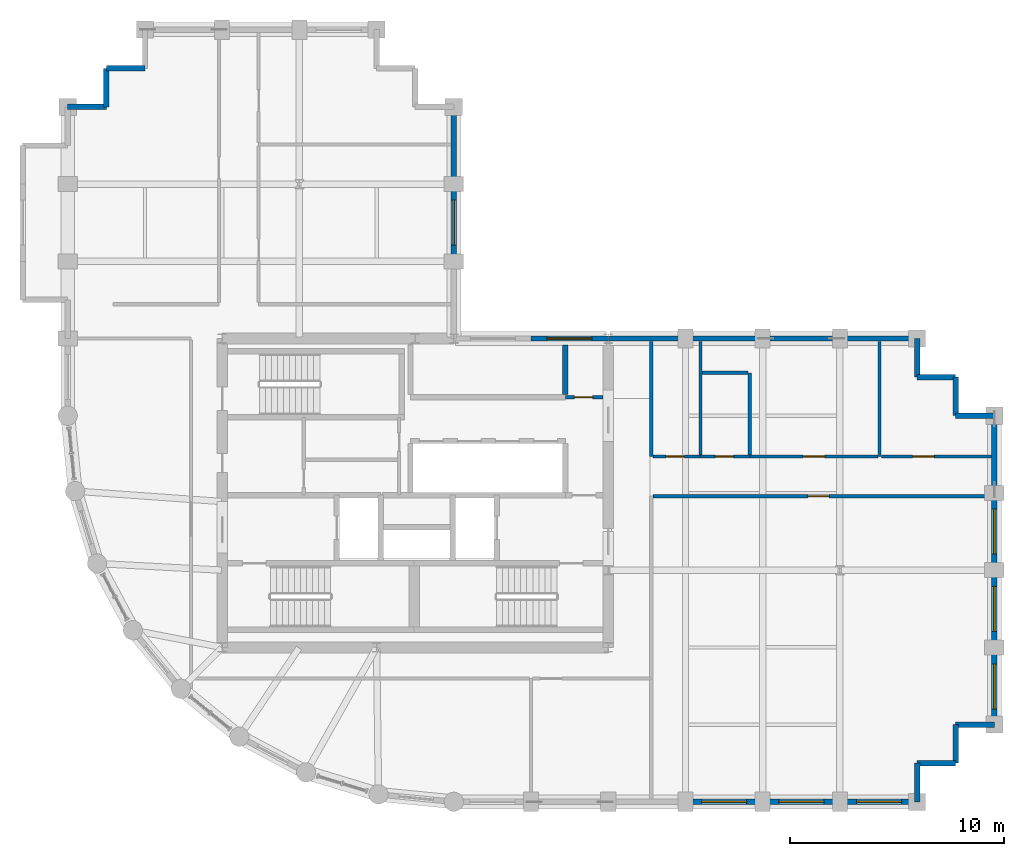
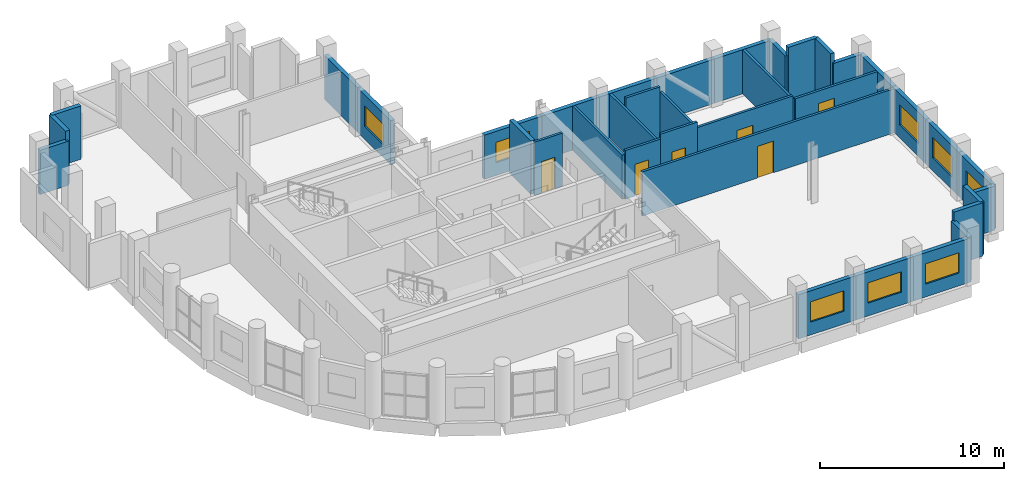
# One storey, part 10 of 12: 37 walls, 8 windows, 6 doors, 14 openings.
"""IFC4 building model written with IfcOpenShell, lengths in metres."""

from ifc_helpers import new_model, si_unit, direction, frame, frame_2d, origin, place, context, subcontext, project, spatial, rectangle, extrude, material, layer, layer_set, type_object, element, fill, save


model = new_model("IFC4")

# Units and contexts
model_context = context("Model", 3, precision=1e-05, world=origin(), true_north=direction((0.0, 1.0)))
body_context = subcontext(model_context, "Body", "Model", "MODEL_VIEW")
ifc_project = project(units=[si_unit("LENGTHUNIT", "METRE"), si_unit("AREAUNIT", "SQUARE_METRE"), si_unit("VOLUMEUNIT", "CUBIC_METRE"), si_unit("PLANEANGLEUNIT", "RADIAN"), si_unit("MASSUNIT", "GRAM", prefix="KILO")], contexts=[model_context])

# Site, building, storey
site_placement = place(None, origin())
site = spatial("IfcSite", under=ifc_project, at=site_placement, CompositionType="ELEMENT")
building_placement = place(site_placement, origin())
building = spatial("IfcBuilding", under=site, at=building_placement, Name="Solnavia Interchange Tower", CompositionType="ELEMENT")
storey_placement = place(building_placement, frame((0.0, 0.0, 193.800048828125)))
storey = spatial("IfcBuildingStorey", under=building, at=storey_placement, Name="L48", CompositionType="ELEMENT", Elevation=193.800048828125)

# Wall, opening, window
ifc_material_1 = material(Name="Concrete C40/50", Category="concrete")
ifc_layer_1 = layer(ifc_material_1, 0.25)
ifc_layer_set_1 = layer_set([ifc_layer_1], Name="Concrete C40/50")
wall_type_1 = type_object("IfcWallType", Name="Wall-ExtSpandrel-250", PredefinedType="STANDARD", material=ifc_layer_set_1)
wall_1_placement = place(storey_placement, frame((39.60009765625, 3.60009765625, 0.0), z_axis=(0.0, 0.0, 1.0), x_axis=(-1.0, 0.0, 0.0)))
wall_1 = element("IfcWall", 1, at=wall_1_placement, inside=storey, type_object=wall_type_1, Name="EXW-L48-04 Exterior precast spandrel wall", PredefinedType="STANDARD", context=body_context, shape_type="SweptSolid", body=[
    extrude(rectangle(XDim=3.60009765625, YDim=0.25, at=frame_2d((1.800048828125, 0.0))), origin(), (0.0, 0.0, 1.0), 2.929931640625),
])
opening_1_placement = place(wall_1_placement, frame((0.75, 0.0, 0.85009765625)))
opening_1 = element("IfcOpeningElement", 2, at=opening_1_placement, cuts=wall_1, Name="Opening WIN-01", PredefinedType="OPENING", context=body_context, shape_type="SweptSolid", body=[
    extrude(rectangle(XDim=2.10009765625, YDim=1.35009765625, at=frame_2d((1.050048828125, 0.675048828125))), frame((0.0, 0.135009765625, 0.0), z_axis=(0.0, -1.0, 0.0), x_axis=(1.0, 0.0, 0.0)), (0.0, 0.0, 1.0), 0.27001953125),
])
ifc_material_2 = material(Name="Thermal-Break Aluminium & Low-E Glass", Category="aluminium")
window_type = type_object("IfcWindowType", Name="Window-Ribbon-2100x1350", PartitioningType="SINGLE_PANEL", PredefinedType="WINDOW", material=ifc_material_2)
window_1_placement = place(opening_1_placement, origin())
window_1 = element("IfcWindow", 3, at=window_1_placement, inside=storey, type_object=window_type, Name="WIN-L48-04 Facade ribbon window", OverallHeight=1.35009765625, OverallWidth=2.10009765625, PartitioningType="SINGLE_PANEL", PredefinedType="WINDOW", context=body_context, shape_type="SweptSolid", body=[
    extrude(rectangle(XDim=2.10009765625, YDim=1.35009765625, at=frame_2d((1.050048828125, 0.675048828125))), frame((0.0, 0.030029296875, 0.0), z_axis=(0.0, -1.0, 0.0), x_axis=(1.0, 0.0, 0.0)), (0.0, 0.0, 1.0), 0.06005859375),
])
fill(opening_1, window_1)

wall_2_placement = place(storey_placement, frame((43.199951171875, 3.60009765625, 0.0), z_axis=(0.0, 0.0, 1.0), x_axis=(-1.0, 0.0, 0.0)))
wall_2 = element("IfcWall", 4, at=wall_2_placement, inside=storey, type_object=wall_type_1, Name="EXW-L48-05 Exterior precast spandrel wall", PredefinedType="STANDARD", context=body_context, shape_type="SweptSolid", body=[
    extrude(rectangle(XDim=3.599853515625, YDim=0.25, at=frame_2d((1.7998046875, 0.0))), origin(), (0.0, 0.0, 1.0), 2.929931640625),
])
opening_2_placement = place(wall_2_placement, frame((0.75, 0.0, 0.85009765625)))
opening_2 = element("IfcOpeningElement", 5, at=opening_2_placement, cuts=wall_2, Name="Opening WIN-01", PredefinedType="OPENING", context=body_context, shape_type="SweptSolid", body=[
    extrude(rectangle(XDim=2.10009765625, YDim=1.35009765625, at=frame_2d((1.050048828125, 0.675048828125))), frame((0.0, 0.135009765625, 0.0), z_axis=(0.0, -1.0, 0.0), x_axis=(1.0, 0.0, 0.0)), (0.0, 0.0, 1.0), 0.27001953125),
])
window_2_placement = place(opening_2_placement, origin())
window_2 = element("IfcWindow", 6, at=window_2_placement, inside=storey, type_object=window_type, Name="WIN-L48-05 Facade ribbon window", OverallHeight=1.35009765625, OverallWidth=2.10009765625, PartitioningType="SINGLE_PANEL", PredefinedType="WINDOW", context=body_context, shape_type="SweptSolid", body=[
    extrude(rectangle(XDim=2.10009765625, YDim=1.35009765625, at=frame_2d((1.050048828125, 0.675048828125))), frame((0.0, 0.030029296875, 0.0), z_axis=(0.0, -1.0, 0.0), x_axis=(1.0, 0.0, 0.0)), (0.0, 0.0, 1.0), 0.06005859375),
])
fill(opening_2, window_2)

wall_3_placement = place(storey_placement, frame((46.800048828125, 3.60009765625, 0.0), z_axis=(0.0, 0.0, 1.0), x_axis=(-1.0, 0.0, 0.0)))
wall_3 = element("IfcWall", 7, at=wall_3_placement, inside=storey, type_object=wall_type_1, Name="EXW-L48-06 Exterior precast spandrel wall", PredefinedType="STANDARD", context=body_context, shape_type="SweptSolid", body=[
    extrude(rectangle(XDim=3.60009765625, YDim=0.25, at=frame_2d((1.800048828125, 0.0))), origin(), (0.0, 0.0, 1.0), 2.929931640625),
])
opening_3_placement = place(wall_3_placement, frame((0.72509765625, 0.0, 0.85009765625)))
opening_3 = element("IfcOpeningElement", 8, at=opening_3_placement, cuts=wall_3, Name="Opening WIN-01", PredefinedType="OPENING", context=body_context, shape_type="SweptSolid", body=[
    extrude(rectangle(XDim=2.10009765625, YDim=1.35009765625, at=frame_2d((1.050048828125, 0.675048828125))), frame((0.0, 0.135009765625, 0.0), z_axis=(0.0, -1.0, 0.0), x_axis=(1.0, 0.0, 0.0)), (0.0, 0.0, 1.0), 0.27001953125),
])
window_3_placement = place(opening_3_placement, origin())
window_3 = element("IfcWindow", 9, at=window_3_placement, inside=storey, type_object=window_type, Name="WIN-L48-06 Facade ribbon window", OverallHeight=1.35009765625, OverallWidth=2.10009765625, PartitioningType="SINGLE_PANEL", PredefinedType="WINDOW", context=body_context, shape_type="SweptSolid", body=[
    extrude(rectangle(XDim=2.10009765625, YDim=1.35009765625, at=frame_2d((1.050048828125, 0.675048828125))), frame((0.0, 0.030029296875, 0.0), z_axis=(0.0, -1.0, 0.0), x_axis=(1.0, 0.0, 0.0)), (0.0, 0.0, 1.0), 0.06005859375),
])
fill(opening_3, window_3)

# Walls
wall_4_placement = place(storey_placement, frame((46.800048828125, 5.39990234375, 0.0), z_axis=(0.0, 0.0, 1.0), x_axis=(0.0, -1.0, 0.0)))
element("IfcWall", 10, at=wall_4_placement, inside=storey, type_object=wall_type_1, Name="EXW-L48-07 Exterior precast spandrel wall", PredefinedType="STANDARD", context=body_context, shape_type="SweptSolid", body=[
    extrude(rectangle(XDim=1.7998046875, YDim=0.25, at=frame_2d((0.89990234375, 0.0))), origin(), (0.0, 0.0, 1.0), 2.929931640625),
])
for number, where, z_axis, x_axis, name in (
    (11, (48.60009765625, 5.39990234375, 0.0), (0.0, 0.0, 1.0), (-1.0, 0.0, 0.0), "EXW-L48-08 Exterior precast spandrel wall"),
    (12, (48.60009765625, 7.199951171875, 0.0), (0.0, 0.0, 1.0), (0.0, -1.0, 0.0), "EXW-L48-09 Exterior precast spandrel wall"),
):
    element("IfcWall", number, at=place(storey_placement, frame(where, z_axis=z_axis, x_axis=x_axis)), inside=storey, type_object=wall_type_1, Name=name, PredefinedType="STANDARD", context=body_context, shape_type="SweptSolid", body=[
        extrude(rectangle(XDim=1.800048828125, YDim=0.25, at=frame_2d((0.89990234375, 0.0))), origin(), (0.0, 0.0, 1.0), 3.534912109375),
    ])
wall_5_placement = place(storey_placement, frame((50.39990234375, 7.199951171875, 0.0), z_axis=(0.0, 0.0, 1.0), x_axis=(-1.0, 0.0, 0.0)))
element("IfcWall", 13, at=wall_5_placement, inside=storey, type_object=wall_type_1, Name="EXW-L48-10 Exterior precast spandrel wall", PredefinedType="STANDARD", context=body_context, shape_type="SweptSolid", body=[
    extrude(rectangle(XDim=1.7998046875, YDim=0.25, at=frame_2d((0.89990234375, 0.0))), origin(), (0.0, 0.0, 1.0), 2.929931640625),
])

# Wall, opening, window
wall_6_placement = place(storey_placement, frame((50.39990234375, 10.800048828125, 0.0), z_axis=(0.0, 0.0, 1.0), x_axis=(0.0, -1.0, 0.0)))
wall_6 = element("IfcWall", 14, at=wall_6_placement, inside=storey, type_object=wall_type_1, Name="EXW-L48-11 Exterior precast spandrel wall", PredefinedType="STANDARD", context=body_context, shape_type="SweptSolid", body=[
    extrude(rectangle(XDim=3.60009765625, YDim=0.25, at=frame_2d((1.800048828125, 0.0))), origin(), (0.0, 0.0, 1.0), 2.929931640625),
])
opening_4_placement = place(wall_6_placement, frame((0.77490234375, 0.0, 0.85009765625)))
opening_4 = element("IfcOpeningElement", 15, at=opening_4_placement, cuts=wall_6, Name="Opening WIN-01", PredefinedType="OPENING", context=body_context, shape_type="SweptSolid", body=[
    extrude(rectangle(XDim=2.10009765625, YDim=1.35009765625, at=frame_2d((1.050048828125, 0.675048828125))), frame((0.0, 0.135009765625, 0.0), z_axis=(0.0, -1.0, 0.0), x_axis=(1.0, 0.0, 0.0)), (0.0, 0.0, 1.0), 0.27001953125),
])
window_4_placement = place(opening_4_placement, origin())
window_4 = element("IfcWindow", 16, at=window_4_placement, inside=storey, type_object=window_type, Name="WIN-L48-11 Facade ribbon window", OverallHeight=1.35009765625, OverallWidth=2.10009765625, PartitioningType="SINGLE_PANEL", PredefinedType="WINDOW", context=body_context, shape_type="SweptSolid", body=[
    extrude(rectangle(XDim=2.10009765625, YDim=1.35009765625, at=frame_2d((1.050048828125, 0.675048828125))), frame((0.0, 0.030029296875, 0.0), z_axis=(0.0, -1.0, 0.0), x_axis=(1.0, 0.0, 0.0)), (0.0, 0.0, 1.0), 0.06005859375),
])
fill(opening_4, window_4)

wall_7_placement = place(storey_placement, frame((50.39990234375, 14.39990234375, 0.0), z_axis=(0.0, 0.0, 1.0), x_axis=(0.0, -1.0, 0.0)))
wall_7 = element("IfcWall", 17, at=wall_7_placement, inside=storey, type_object=wall_type_1, Name="EXW-L48-12 Exterior precast spandrel wall", PredefinedType="STANDARD", context=body_context, shape_type="SweptSolid", body=[
    extrude(rectangle(XDim=3.599853515625, YDim=0.25, at=frame_2d((1.7998046875, 0.0))), origin(), (0.0, 0.0, 1.0), 2.929931640625),
])
opening_5_placement = place(wall_7_placement, frame((0.75, 0.0, 0.85009765625)))
opening_5 = element("IfcOpeningElement", 18, at=opening_5_placement, cuts=wall_7, Name="Opening WIN-01", PredefinedType="OPENING", context=body_context, shape_type="SweptSolid", body=[
    extrude(rectangle(XDim=2.10009765625, YDim=1.35009765625, at=frame_2d((1.050048828125, 0.675048828125))), frame((0.0, 0.135009765625, 0.0), z_axis=(0.0, -1.0, 0.0), x_axis=(1.0, 0.0, 0.0)), (0.0, 0.0, 1.0), 0.27001953125),
])
window_5_placement = place(opening_5_placement, origin())
window_5 = element("IfcWindow", 19, at=window_5_placement, inside=storey, type_object=window_type, Name="WIN-L48-12 Facade ribbon window", OverallHeight=1.35009765625, OverallWidth=2.10009765625, PartitioningType="SINGLE_PANEL", PredefinedType="WINDOW", context=body_context, shape_type="SweptSolid", body=[
    extrude(rectangle(XDim=2.10009765625, YDim=1.35009765625, at=frame_2d((1.050048828125, 0.675048828125))), frame((0.0, 0.030029296875, 0.0), z_axis=(0.0, -1.0, 0.0), x_axis=(1.0, 0.0, 0.0)), (0.0, 0.0, 1.0), 0.06005859375),
])
fill(opening_5, window_5)

wall_8_placement = place(storey_placement, frame((50.39990234375, 18.0, 0.0), z_axis=(0.0, 0.0, 1.0), x_axis=(0.0, -1.0, 0.0)))
wall_8 = element("IfcWall", 20, at=wall_8_placement, inside=storey, type_object=wall_type_1, Name="EXW-L48-13 Exterior precast spandrel wall", PredefinedType="STANDARD", context=body_context, shape_type="SweptSolid", body=[
    extrude(rectangle(XDim=3.60009765625, YDim=0.25, at=frame_2d((1.800048828125, 0.0))), origin(), (0.0, 0.0, 1.0), 2.929931640625),
])
opening_6_placement = place(wall_8_placement, frame((0.75, 0.0, 0.85009765625)))
opening_6 = element("IfcOpeningElement", 21, at=opening_6_placement, cuts=wall_8, Name="Opening WIN-01", PredefinedType="OPENING", context=body_context, shape_type="SweptSolid", body=[
    extrude(rectangle(XDim=2.10009765625, YDim=1.35009765625, at=frame_2d((1.050048828125, 0.675048828125))), frame((0.0, 0.135009765625, 0.0), z_axis=(0.0, -1.0, 0.0), x_axis=(1.0, 0.0, 0.0)), (0.0, 0.0, 1.0), 0.27001953125),
])
window_6_placement = place(opening_6_placement, origin())
window_6 = element("IfcWindow", 22, at=window_6_placement, inside=storey, type_object=window_type, Name="WIN-L48-13 Facade ribbon window", OverallHeight=1.35009765625, OverallWidth=2.10009765625, PartitioningType="SINGLE_PANEL", PredefinedType="WINDOW", context=body_context, shape_type="SweptSolid", body=[
    extrude(rectangle(XDim=2.10009765625, YDim=1.35009765625, at=frame_2d((1.050048828125, 0.675048828125))), frame((0.0, 0.030029296875, 0.0), z_axis=(0.0, -1.0, 0.0), x_axis=(1.0, 0.0, 0.0)), (0.0, 0.0, 1.0), 0.06005859375),
])
fill(opening_6, window_6)

# Walls
wall_9_placement = place(storey_placement, frame((50.39990234375, 21.60009765625, 0.0), z_axis=(0.0, 0.0, 1.0), x_axis=(0.0, -1.0, 0.0)))
element("IfcWall", 23, at=wall_9_placement, inside=storey, type_object=wall_type_1, Name="EXW-L48-14 Exterior precast spandrel wall", PredefinedType="STANDARD", context=body_context, shape_type="SweptSolid", body=[
    extrude(rectangle(XDim=3.60009765625, YDim=0.25, at=frame_2d((1.800048828125, 0.0))), origin(), (0.0, 0.0, 1.0), 2.929931640625),
])
wall_10_placement = place(storey_placement, frame((48.60009765625, 21.60009765625, 0.0), z_axis=(0.0, 0.0, 1.0), x_axis=(1.0, 0.0, 0.0)))
element("IfcWall", 24, at=wall_10_placement, inside=storey, type_object=wall_type_1, Name="EXW-L48-15 Exterior precast spandrel wall", PredefinedType="STANDARD", context=body_context, shape_type="SweptSolid", body=[
    extrude(rectangle(XDim=1.7998046875, YDim=0.25, at=frame_2d((0.89990234375, 0.0))), origin(), (0.0, 0.0, 1.0), 2.929931640625),
])
wall_11_placement = place(storey_placement, frame((48.60009765625, 23.39990234375, 0.0), z_axis=(0.0, 0.0, 1.0), x_axis=(0.0, -1.0, 0.0)))
element("IfcWall", 25, at=wall_11_placement, inside=storey, type_object=wall_type_1, Name="EXW-L48-16 Exterior precast spandrel wall", PredefinedType="STANDARD", context=body_context, shape_type="SweptSolid", body=[
    extrude(rectangle(XDim=1.7998046875, YDim=0.25, at=frame_2d((0.89990234375, 0.0))), origin(), (0.0, 0.0, 1.0), 3.534912109375),
])
wall_12_placement = place(storey_placement, frame((46.800048828125, 23.39990234375, 0.0), z_axis=(0.0, 0.0, 1.0), x_axis=(1.0, 0.0, 0.0)))
element("IfcWall", 26, at=wall_12_placement, inside=storey, type_object=wall_type_1, Name="EXW-L48-17 Exterior precast spandrel wall", PredefinedType="STANDARD", context=body_context, shape_type="SweptSolid", body=[
    extrude(rectangle(XDim=1.800048828125, YDim=0.25, at=frame_2d((0.89990234375, 0.0))), origin(), (0.0, 0.0, 1.0), 3.534912109375),
])
wall_13_placement = place(storey_placement, frame((46.800048828125, 25.199951171875, 0.0), z_axis=(0.0, 0.0, 1.0), x_axis=(0.0, -1.0, 0.0)))
element("IfcWall", 27, at=wall_13_placement, inside=storey, type_object=wall_type_1, Name="EXW-L48-18 Exterior precast spandrel wall", PredefinedType="STANDARD", context=body_context, shape_type="SweptSolid", body=[
    extrude(rectangle(XDim=1.800048828125, YDim=0.25, at=frame_2d((0.89990234375, 0.0))), origin(), (0.0, 0.0, 1.0), 2.929931640625),
])
wall_14_placement = place(storey_placement, frame((43.199951171875, 25.199951171875, 0.0), z_axis=(0.0, 0.0, 1.0), x_axis=(1.0, 0.0, 0.0)))
element("IfcWall", 28, at=wall_14_placement, inside=storey, type_object=wall_type_1, Name="EXW-L48-19 Exterior precast spandrel wall", PredefinedType="STANDARD", context=body_context, shape_type="SweptSolid", body=[
    extrude(rectangle(XDim=3.60009765625, YDim=0.25, at=frame_2d((1.800048828125, 0.0))), origin(), (0.0, 0.0, 1.0), 2.929931640625),
])
wall_15_placement = place(storey_placement, frame((39.60009765625, 25.199951171875, 0.0), z_axis=(0.0, 0.0, 1.0), x_axis=(1.0, 0.0, 0.0)))
element("IfcWall", 29, at=wall_15_placement, inside=storey, type_object=wall_type_1, Name="EXW-L48-20 Exterior precast spandrel wall", PredefinedType="STANDARD", context=body_context, shape_type="SweptSolid", body=[
    extrude(rectangle(XDim=3.599853515625, YDim=0.25, at=frame_2d((1.7998046875, 0.0))), origin(), (0.0, 0.0, 1.0), 2.929931640625),
])
for number, where, z_axis, x_axis, name in (
    (30, (36.0, 25.199951171875, 0.0), (0.0, 0.0, 1.0), (1.0, 0.0, 0.0), "EXW-L48-21 Exterior precast spandrel wall"),
    (31, (32.39990234375, 25.199951171875, 0.0), (0.0, 0.0, 1.0), (1.0, 0.0, 0.0), "EXW-L48-22 Exterior precast spandrel wall"),
):
    element("IfcWall", number, at=place(storey_placement, frame(where, z_axis=z_axis, x_axis=x_axis)), inside=storey, type_object=wall_type_1, Name=name, PredefinedType="STANDARD", context=body_context, shape_type="SweptSolid", body=[
        extrude(rectangle(XDim=3.60009765625, YDim=0.25, at=frame_2d((1.800048828125, 0.0))), origin(), (0.0, 0.0, 1.0), 2.929931640625),
    ])

# Wall, opening, window
wall_16_placement = place(storey_placement, frame((28.800048828125, 25.199951171875, 0.0), z_axis=(0.0, 0.0, 1.0), x_axis=(1.0, 0.0, 0.0)))
wall_16 = element("IfcWall", 32, at=wall_16_placement, inside=storey, type_object=wall_type_1, Name="EXW-L48-23 Exterior precast spandrel wall", PredefinedType="STANDARD", context=body_context, shape_type="SweptSolid", body=[
    extrude(rectangle(XDim=3.599853515625, YDim=0.25, at=frame_2d((1.7998046875, 0.0))), origin(), (0.0, 0.0, 1.0), 2.929931640625),
])
opening_7_placement = place(wall_16_placement, frame((0.73388671875, 0.0, 0.85009765625)))
opening_7 = element("IfcOpeningElement", 33, at=opening_7_placement, cuts=wall_16, Name="Opening WIN-01", PredefinedType="OPENING", context=body_context, shape_type="SweptSolid", body=[
    extrude(rectangle(XDim=2.10009765625, YDim=1.35009765625, at=frame_2d((1.050048828125, 0.675048828125))), frame((0.0, 0.135009765625, 0.0), z_axis=(0.0, -1.0, 0.0), x_axis=(1.0, 0.0, 0.0)), (0.0, 0.0, 1.0), 0.27001953125),
])
window_7_placement = place(opening_7_placement, origin())
window_7 = element("IfcWindow", 34, at=window_7_placement, inside=storey, type_object=window_type, Name="WIN-L48-23 Facade ribbon window", OverallHeight=1.35009765625, OverallWidth=2.10009765625, PartitioningType="SINGLE_PANEL", PredefinedType="WINDOW", context=body_context, shape_type="SweptSolid", body=[
    extrude(rectangle(XDim=2.10009765625, YDim=1.35009765625, at=frame_2d((1.050048828125, 0.675048828125))), frame((0.0, 0.030029296875, 0.0), z_axis=(0.0, -1.0, 0.0), x_axis=(1.0, 0.0, 0.0)), (0.0, 0.0, 1.0), 0.06005859375),
])
fill(opening_7, window_7)

wall_17_placement = place(storey_placement, frame((25.199951171875, 28.800048828125, 0.0), z_axis=(0.0, 0.0, 1.0), x_axis=(0.0, 1.0, 0.0)))
wall_17 = element("IfcWall", 35, at=wall_17_placement, inside=storey, type_object=wall_type_1, Name="EXW-L48-26 Exterior precast spandrel wall", PredefinedType="STANDARD", context=body_context, shape_type="SweptSolid", body=[
    extrude(rectangle(XDim=3.599853515625, YDim=0.25, at=frame_2d((1.7998046875, 0.0))), origin(), (0.0, 0.0, 1.0), 2.929931640625),
])
opening_8_placement = place(wall_17_placement, frame((0.75, 0.0, 0.85009765625)))
opening_8 = element("IfcOpeningElement", 36, at=opening_8_placement, cuts=wall_17, Name="Opening WIN-01", PredefinedType="OPENING", context=body_context, shape_type="SweptSolid", body=[
    extrude(rectangle(XDim=2.10009765625, YDim=1.35009765625, at=frame_2d((1.050048828125, 0.675048828125))), frame((0.0, 0.135009765625, 0.0), z_axis=(0.0, -1.0, 0.0), x_axis=(1.0, 0.0, 0.0)), (0.0, 0.0, 1.0), 0.27001953125),
])
window_8_placement = place(opening_8_placement, origin())
window_8 = element("IfcWindow", 37, at=window_8_placement, inside=storey, type_object=window_type, Name="WIN-L48-26 Facade ribbon window", OverallHeight=1.35009765625, OverallWidth=2.10009765625, PartitioningType="SINGLE_PANEL", PredefinedType="WINDOW", context=body_context, shape_type="SweptSolid", body=[
    extrude(rectangle(XDim=2.10009765625, YDim=1.35009765625, at=frame_2d((1.050048828125, 0.675048828125))), frame((0.0, 0.030029296875, 0.0), z_axis=(0.0, -1.0, 0.0), x_axis=(1.0, 0.0, 0.0)), (0.0, 0.0, 1.0), 0.06005859375),
])
fill(opening_8, window_8)

# Walls
wall_18_placement = place(storey_placement, frame((25.199951171875, 32.39990234375, 0.0), z_axis=(0.0, 0.0, 1.0), x_axis=(0.0, 1.0, 0.0)))
element("IfcWall", 38, at=wall_18_placement, inside=storey, type_object=wall_type_1, Name="EXW-L48-27 Exterior precast spandrel wall", PredefinedType="STANDARD", context=body_context, shape_type="SweptSolid", body=[
    extrude(rectangle(XDim=3.60009765625, YDim=0.25, at=frame_2d((1.800048828125, 0.0))), origin(), (0.0, 0.0, 1.0), 2.929931640625),
])
for number, where, z_axis, x_axis, name in (
    (39, (9.0, 37.800048828125, 0.0), (0.0, 0.0, 1.0), (1.0, 0.0, 0.0), "EXW-L48-36 Exterior precast spandrel wall"),
    (40, (9.0, 36.0, 0.0), (0.0, 0.0, 1.0), (0.0, 1.0, 0.0), "EXW-L48-37 Exterior precast spandrel wall"),
):
    element("IfcWall", number, at=place(storey_placement, frame(where, z_axis=z_axis, x_axis=x_axis)), inside=storey, type_object=wall_type_1, Name=name, PredefinedType="STANDARD", context=body_context, shape_type="SweptSolid", body=[
        extrude(rectangle(XDim=1.800048828125, YDim=0.25, at=frame_2d((0.89990234375, 0.0))), origin(), (0.0, 0.0, 1.0), 3.534912109375),
    ])
wall_19_placement = place(storey_placement, frame((7.199951171875, 36.0, 0.0), z_axis=(0.0, 0.0, 1.0), x_axis=(1.0, 0.0, 0.0)))
element("IfcWall", 41, at=wall_19_placement, inside=storey, type_object=wall_type_1, Name="EXW-L48-38 Exterior precast spandrel wall", PredefinedType="STANDARD", context=body_context, shape_type="SweptSolid", body=[
    extrude(rectangle(XDim=1.800048828125, YDim=0.25, at=frame_2d((0.89990234375, 0.0))), origin(), (0.0, 0.0, 1.0), 2.929931640625),
])

# Wall, opening, door
ifc_material_3 = material(Name="Gypsum Plasterboard & Steel Stud", Category="steel")
ifc_layer_2 = layer(ifc_material_3, 0.14990234375)
ifc_layer_set_2 = layer_set([ifc_layer_2], Name="Gypsum Plasterboard & Steel Stud")
wall_type_2 = type_object("IfcWallType", Name="Wall-Partition-150", PredefinedType="PARTITIONING", material=ifc_layer_set_2)
wall_20_placement = place(storey_placement, frame((30.39990234375, 22.4599609375, 0.0), z_axis=(0.0, 0.0, 1.0), x_axis=(1.0, 0.0, 0.0)))
wall_20 = element("IfcWall", 42, at=wall_20_placement, inside=storey, type_object=wall_type_2, Name="CSW-L48-NE-S Core shaft wall", PredefinedType="PARTITIONING", context=body_context, shape_type="SweptSolid", body=[
    extrude(rectangle(XDim=1.75, YDim=0.14990234375, at=frame_2d((0.875, 0.0))), origin(), (0.0, 0.0, 1.0), 3.534912109375),
])
opening_9_placement = place(wall_20_placement, frame((0.419921875, 0.0, 0.0)))
opening_9 = element("IfcOpeningElement", 43, at=opening_9_placement, cuts=wall_20, Name="Opening DR-10", PredefinedType="OPENING", context=body_context, shape_type="SweptSolid", body=[
    extrude(rectangle(XDim=0.85009765625, YDim=2.10009765625, at=frame_2d((0.425048828125, 1.050048828125))), frame((0.0, 0.0849609375, 0.0), z_axis=(0.0, -1.0, 0.0), x_axis=(1.0, 0.0, 0.0)), (0.0, 0.0, 1.0), 0.169921875),
])
ifc_material_4 = material(Name="Moisture-Resistant Timber Door", Category="wood")
door_type_1 = type_object("IfcDoorType", Name="Door-Bathroom-850x2100", OperationType="SINGLE_SWING_RIGHT", PredefinedType="DOOR", material=ifc_material_4)
door_1_placement = place(opening_9_placement, origin())
door_1 = element("IfcDoor", 44, at=door_1_placement, inside=storey, type_object=door_type_1, Name="DR-L48-CS4 Core fire door", OperationType="SINGLE_SWING_RIGHT", OverallHeight=2.10009765625, OverallWidth=0.85009765625, PredefinedType="DOOR", context=body_context, shape_type="SweptSolid", body=[
    extrude(rectangle(XDim=0.85009765625, YDim=2.10009765625, at=frame_2d((0.425048828125, 1.050048828125))), frame((0.0, 0.02490234375, 0.0), z_axis=(0.0, -1.0, 0.0), x_axis=(1.0, 0.0, 0.0)), (0.0, 0.0, 1.0), 0.050048828125),
])
fill(opening_9, door_1)

wall_21_placement = place(storey_placement, frame((34.47900390625, 17.85009765625, 0.0), z_axis=(0.0, 0.0, 1.0), x_axis=(1.0, 0.0, 0.0)))
wall_21 = element("IfcWall", 45, at=wall_21_placement, inside=storey, type_object=wall_type_2, Name="PTW-L48-13 Interior partition wall", PredefinedType="PARTITIONING", context=body_context, shape_type="SweptSolid", body=[
    extrude(rectangle(XDim=15.7919921875, YDim=0.14990234375, at=frame_2d((7.89599609375, 0.0))), origin(), (0.0, 0.0, 1.0), 2.929931640625),
])
opening_10_placement = place(wall_21_placement, frame((7.221923828125, 0.0, 0.0)))
opening_10 = element("IfcOpeningElement", 46, at=opening_10_placement, cuts=wall_21, Name="Opening DR-07", PredefinedType="OPENING", context=body_context, shape_type="SweptSolid", body=[
    extrude(rectangle(XDim=1.0, YDim=2.10009765625, at=frame_2d((0.5, 1.050048828125))), frame((0.0, 0.0849609375, 0.0), z_axis=(0.0, -1.0, 0.0), x_axis=(1.0, 0.0, 0.0)), (0.0, 0.0, 1.0), 0.169921875),
])
ifc_material_5 = material(Name="Timber & Acoustic Glazed Office Door", Category="wood")
door_type_2 = type_object("IfcDoorType", Name="Door-Office-1000x2100", OperationType="SINGLE_SWING_RIGHT", PredefinedType="DOOR", material=ifc_material_5)
door_2_placement = place(opening_10_placement, origin())
door_2 = element("IfcDoor", 47, at=door_2_placement, inside=storey, type_object=door_type_2, Name="DR-L48-05 Interior room door", OperationType="SINGLE_SWING_LEFT", OverallHeight=2.10009765625, OverallWidth=1.0, PredefinedType="DOOR", context=body_context, shape_type="SweptSolid", body=[
    extrude(rectangle(XDim=1.0, YDim=2.10009765625, at=frame_2d((0.5, 1.050048828125))), frame((0.0, 0.02490234375, 0.0), z_axis=(0.0, -1.0, 0.0), x_axis=(1.0, 0.0, 0.0)), (0.0, 0.0, 1.0), 0.050048828125),
])
fill(opening_10, door_2)

# Wall
wall_22_placement = place(storey_placement, frame((45.050048828125, 19.699951171875, 0.0), z_axis=(0.0, 0.0, 1.0), x_axis=(0.0, 1.0, 0.0)))
element("IfcWall", 48, at=wall_22_placement, inside=storey, type_object=wall_type_2, Name="PTW-L48-14 Interior partition wall", PredefinedType="PARTITIONING", context=body_context, shape_type="SweptSolid", body=[
    extrude(rectangle(XDim=5.37109375, YDim=0.14990234375, at=frame_2d((2.685546875, 0.0))), origin(), (0.0, 0.0, 1.0), 2.929931640625),
])

# Wall, opening, door
wall_23_placement = place(storey_placement, frame((39.0, 19.699951171875, 0.0), z_axis=(0.0, 0.0, 1.0), x_axis=(1.0, 0.0, 0.0)))
wall_23 = element("IfcWall", 49, at=wall_23_placement, inside=storey, type_object=wall_type_2, Name="PTW-L48-15 Interior partition wall", PredefinedType="PARTITIONING", context=body_context, shape_type="SweptSolid", body=[
    extrude(rectangle(XDim=5.970947265625, YDim=0.14990234375, at=frame_2d((2.9853515625, 0.0))), origin(), (0.0, 0.0, 1.0), 3.169921875),
])
opening_11_placement = place(wall_23_placement, frame((2.486083984375, 0.0, 0.0)))
opening_11 = element("IfcOpeningElement", 50, at=opening_11_placement, cuts=wall_23, Name="Opening DR-07", PredefinedType="OPENING", context=body_context, shape_type="SweptSolid", body=[
    extrude(rectangle(XDim=1.0, YDim=2.10009765625, at=frame_2d((0.5, 1.050048828125))), frame((0.0, 0.0849609375, 0.0), z_axis=(0.0, -1.0, 0.0), x_axis=(1.0, 0.0, 0.0)), (0.0, 0.0, 1.0), 0.169921875),
])
door_3_placement = place(opening_11_placement, origin())
door_3 = element("IfcDoor", 51, at=door_3_placement, inside=storey, type_object=door_type_2, Name="DR-L48-06 Interior room door", OperationType="SINGLE_SWING_RIGHT", OverallHeight=2.10009765625, OverallWidth=1.0, PredefinedType="DOOR", context=body_context, shape_type="SweptSolid", body=[
    extrude(rectangle(XDim=1.0, YDim=2.10009765625, at=frame_2d((0.5, 1.050048828125))), frame((0.0, 0.02490234375, 0.0), z_axis=(0.0, -1.0, 0.0), x_axis=(1.0, 0.0, 0.0)), (0.0, 0.0, 1.0), 0.050048828125),
])
fill(opening_11, door_3)

wall_24_placement = place(storey_placement, frame((45.12890625, 19.699951171875, 0.0), z_axis=(0.0, 0.0, 1.0), x_axis=(1.0, 0.0, 0.0)))
wall_24 = element("IfcWall", 52, at=wall_24_placement, inside=storey, type_object=wall_type_2, Name="PTW-L48-16 Interior partition wall", PredefinedType="PARTITIONING", context=body_context, shape_type="SweptSolid", body=[
    extrude(rectangle(XDim=5.14208984375, YDim=0.14990234375, at=frame_2d((2.571044921875, 0.0))), origin(), (0.0, 0.0, 1.0), 2.929931640625),
])
opening_12_placement = place(wall_24_placement, frame((1.465087890625, 0.0, 0.0)))
opening_12 = element("IfcOpeningElement", 53, at=opening_12_placement, cuts=wall_24, Name="Opening DR-07", PredefinedType="OPENING", context=body_context, shape_type="SweptSolid", body=[
    extrude(rectangle(XDim=1.0, YDim=2.10009765625, at=frame_2d((0.5, 1.050048828125))), frame((0.0, 0.0849609375, 0.0), z_axis=(0.0, -1.0, 0.0), x_axis=(1.0, 0.0, 0.0)), (0.0, 0.0, 1.0), 0.169921875),
])
door_4_placement = place(opening_12_placement, origin())
door_4 = element("IfcDoor", 54, at=door_4_placement, inside=storey, type_object=door_type_2, Name="DR-L48-07 Interior room door", OperationType="SINGLE_SWING_RIGHT", OverallHeight=2.10009765625, OverallWidth=1.0, PredefinedType="DOOR", context=body_context, shape_type="SweptSolid", body=[
    extrude(rectangle(XDim=1.0, YDim=2.10009765625, at=frame_2d((0.5, 1.050048828125))), frame((0.0, 0.02490234375, 0.0), z_axis=(0.0, -1.0, 0.0), x_axis=(1.0, 0.0, 0.0)), (0.0, 0.0, 1.0), 0.050048828125),
])
fill(opening_12, door_4)

# Walls
ifc_layer_3 = layer(ifc_material_1, 0.25)
ifc_layer_set_3 = layer_set([ifc_layer_3], Name="Concrete C40/50")
wall_type_3 = type_object("IfcWallType", Name="Wall-ShaftPart-250", PredefinedType="PARTITIONING", material=ifc_layer_set_3)
wall_25_placement = place(storey_placement, frame((30.39990234375, 22.5849609375, 0.0), z_axis=(0.0, 0.0, 1.0), x_axis=(0.0, 1.0, 0.0)))
element("IfcWall", 55, at=wall_25_placement, inside=storey, type_object=wall_type_3, Name="SHW-L48-B3E Core shaft wall", PredefinedType="PARTITIONING", context=body_context, shape_type="SweptSolid", body=[
    extrude(rectangle(XDim=2.31494140625, YDim=0.25, at=frame_2d((1.157470703125, 0.0))), origin(), (0.0, 0.0, 1.0), 3.534912109375),
])
ifc_material_6 = material(Name="Moisture-Resistant Gypsum & Steel Stud", Category="steel")
ifc_layer_4 = layer(ifc_material_6, 0.14990234375)
ifc_layer_set_4 = layer_set([ifc_layer_4], Name="Moisture-Resistant Gypsum & Steel Stud")
wall_type_4 = type_object("IfcWallType", Name="Wall-WetRoom-150", PredefinedType="PARTITIONING", material=ifc_layer_set_4)
wall_26_placement = place(storey_placement, frame((34.39990234375, 19.699951171875, 0.0), z_axis=(0.0, 0.0, 1.0), x_axis=(0.0, 1.0, 0.0)))
element("IfcWall", 56, at=wall_26_placement, inside=storey, type_object=wall_type_4, Name="PTW-L48-01 Interior partition wall", PredefinedType="PARTITIONING", context=body_context, shape_type="SweptSolid", body=[
    extrude(rectangle(XDim=5.37109375, YDim=0.14990234375, at=frame_2d((2.685546875, 0.0))), origin(), (0.0, 0.0, 1.0), 2.929931640625),
])

# Wall, opening, door
wall_27_placement = place(storey_placement, frame((34.47900390625, 19.699951171875, 0.0), z_axis=(0.0, 0.0, 1.0), x_axis=(1.0, 0.0, 0.0)))
wall_27 = element("IfcWall", 57, at=wall_27_placement, inside=storey, type_object=wall_type_4, Name="PTW-L48-02 Interior partition wall", PredefinedType="PARTITIONING", context=body_context, shape_type="SweptSolid", body=[
    extrude(rectangle(XDim=2.220947265625, YDim=0.14990234375, at=frame_2d((1.1103515625, 0.0))), origin(), (0.0, 0.0, 1.0), 3.219970703125),
])
opening_13_placement = place(wall_27_placement, frame((0.617919921875, 0.0, 0.0)))
opening_13 = element("IfcOpeningElement", 58, at=opening_13_placement, cuts=wall_27, Name="Opening DR-10", PredefinedType="OPENING", context=body_context, shape_type="SweptSolid", body=[
    extrude(rectangle(XDim=0.85009765625, YDim=2.10009765625, at=frame_2d((0.425048828125, 1.050048828125))), frame((0.0, 0.0849609375, 0.0), z_axis=(0.0, -1.0, 0.0), x_axis=(1.0, 0.0, 0.0)), (0.0, 0.0, 1.0), 0.169921875),
])
door_5_placement = place(opening_13_placement, origin())
door_5 = element("IfcDoor", 59, at=door_5_placement, inside=storey, type_object=door_type_1, Name="DR-L48-01 Interior room door", OperationType="SINGLE_SWING_LEFT", OverallHeight=2.10009765625, OverallWidth=0.85009765625, PredefinedType="DOOR", context=body_context, shape_type="SweptSolid", body=[
    extrude(rectangle(XDim=0.85009765625, YDim=2.10009765625, at=frame_2d((0.425048828125, 1.050048828125))), frame((0.0, 0.02490234375, 0.0), z_axis=(0.0, -1.0, 0.0), x_axis=(1.0, 0.0, 0.0)), (0.0, 0.0, 1.0), 0.050048828125),
])
fill(opening_13, door_5)

# Wall
wall_28_placement = place(storey_placement, frame((36.699951171875, 19.779052734375, 0.0), z_axis=(0.0, 0.0, 1.0), x_axis=(0.0, 1.0, 0.0)))
element("IfcWall", 60, at=wall_28_placement, inside=storey, type_object=wall_type_4, Name="PTW-L48-03 Interior partition wall", PredefinedType="PARTITIONING", context=body_context, shape_type="SweptSolid", body=[
    extrude(rectangle(XDim=5.2919921875, YDim=0.14990234375, at=frame_2d((2.64599609375, 0.0))), origin(), (0.0, 0.0, 1.0), 2.929931640625),
])

# Wall, opening, door
wall_29_placement = place(storey_placement, frame((36.699951171875, 19.699951171875, 0.0), z_axis=(0.0, 0.0, 1.0), x_axis=(1.0, 0.0, 0.0)))
wall_29 = element("IfcWall", 61, at=wall_29_placement, inside=storey, type_object=wall_type_4, Name="PTW-L48-04 Interior partition wall", PredefinedType="PARTITIONING", context=body_context, shape_type="SweptSolid", body=[
    extrude(rectangle(XDim=2.300048828125, YDim=0.14990234375, at=frame_2d((1.14990234375, 0.0))), origin(), (0.0, 0.0, 1.0), 3.534912109375),
])
opening_14_placement = place(wall_29_placement, frame((0.697021484375, 0.0, 0.0)))
opening_14 = element("IfcOpeningElement", 62, at=opening_14_placement, cuts=wall_29, Name="Opening DR-10", PredefinedType="OPENING", context=body_context, shape_type="SweptSolid", body=[
    extrude(rectangle(XDim=0.85009765625, YDim=2.10009765625, at=frame_2d((0.425048828125, 1.050048828125))), frame((0.0, 0.0849609375, 0.0), z_axis=(0.0, -1.0, 0.0), x_axis=(1.0, 0.0, 0.0)), (0.0, 0.0, 1.0), 0.169921875),
])
door_6_placement = place(opening_14_placement, origin())
door_6 = element("IfcDoor", 63, at=door_6_placement, inside=storey, type_object=door_type_1, Name="DR-L48-02 Interior room door", OperationType="SINGLE_SWING_RIGHT", OverallHeight=2.10009765625, OverallWidth=0.85009765625, PredefinedType="DOOR", context=body_context, shape_type="SweptSolid", body=[
    extrude(rectangle(XDim=0.85009765625, YDim=2.10009765625, at=frame_2d((0.425048828125, 1.050048828125))), frame((0.0, 0.02490234375, 0.0), z_axis=(0.0, -1.0, 0.0), x_axis=(1.0, 0.0, 0.0)), (0.0, 0.0, 1.0), 0.050048828125),
])
fill(opening_14, door_6)

# Walls
wall_30_placement = place(storey_placement, frame((39.0, 19.779052734375, 0.0), z_axis=(0.0, 0.0, 1.0), x_axis=(0.0, 1.0, 0.0)))
element("IfcWall", 64, at=wall_30_placement, inside=storey, type_object=wall_type_4, Name="PTW-L48-05 Interior partition wall", PredefinedType="PARTITIONING", context=body_context, shape_type="SweptSolid", body=[
    extrude(rectangle(XDim=3.821044921875, YDim=0.14990234375, at=frame_2d((1.91064453125, 0.0))), origin(), (0.0, 0.0, 1.0), 3.169921875),
])
wall_31_placement = place(storey_placement, frame((36.779052734375, 23.60009765625, 0.0), z_axis=(0.0, 0.0, 1.0), x_axis=(1.0, 0.0, 0.0)))
element("IfcWall", 65, at=wall_31_placement, inside=storey, type_object=wall_type_4, Name="PTW-L48-06 Interior partition wall", PredefinedType="PARTITIONING", context=body_context, shape_type="SweptSolid", body=[
    extrude(rectangle(XDim=2.141845703125, YDim=0.14990234375, at=frame_2d((1.07080078125, 0.0))), origin(), (0.0, 0.0, 1.0), 3.534912109375),
])

save(model, "model.ifc")
